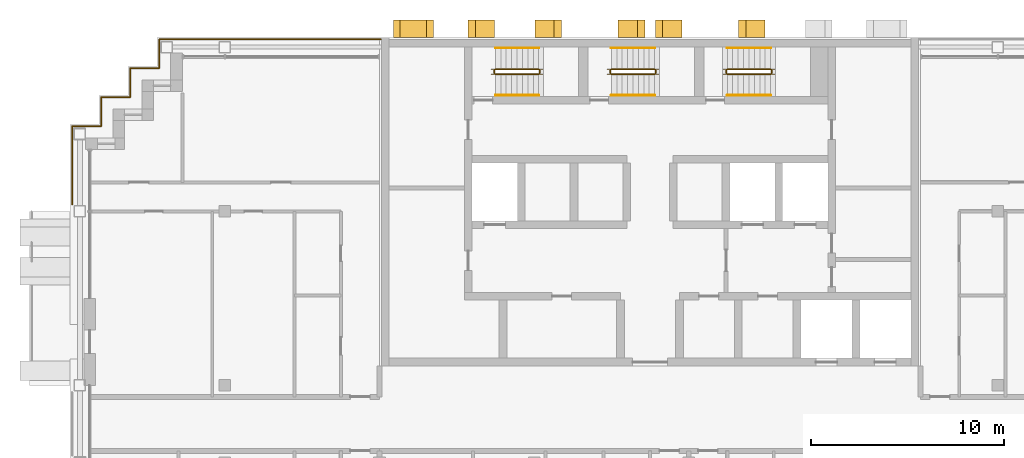
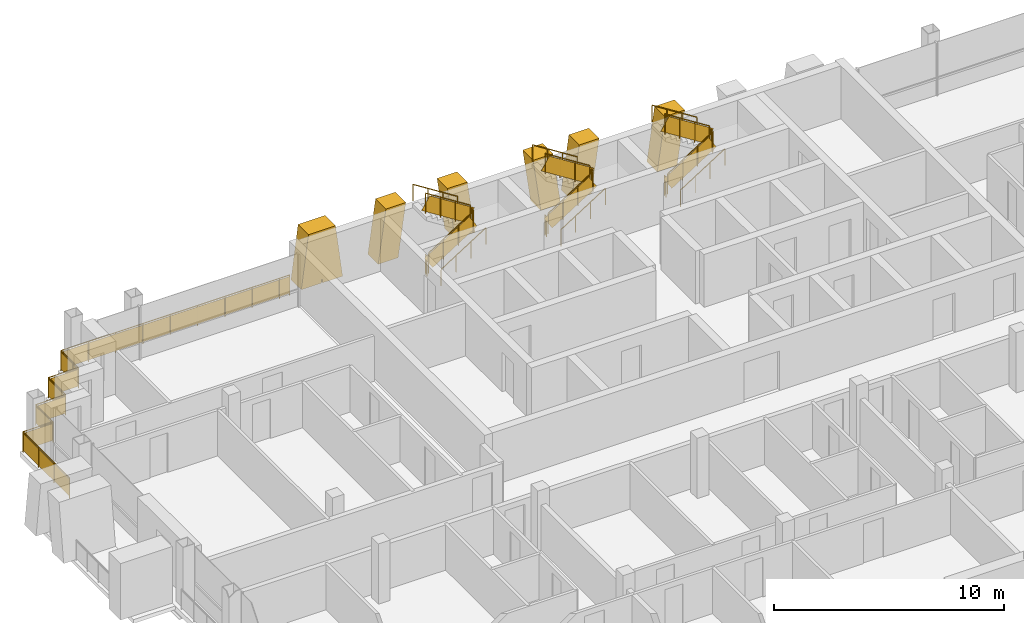
# One storey, part 14 of 15: 21 railings, 6 shading devices.
"""IFC4 building model written with IfcOpenShell, lengths in metres."""

from ifc_helpers import new_model, si_unit, direction, frame, origin, origin_2d, place, context, subcontext, project, spatial, polyline, rectangle, circle, outline, extrude, material, layer, layer_set, type_object, element, save


model = new_model("IFC4")

# Units and contexts
model_context = context("Model", 3, precision=1e-05, world=origin(), true_north=direction((0.0, 1.0)))
body_context = subcontext(model_context, "Body", "Model", "MODEL_VIEW")
ifc_project = project(units=[si_unit("LENGTHUNIT", "METRE"), si_unit("AREAUNIT", "SQUARE_METRE"), si_unit("VOLUMEUNIT", "CUBIC_METRE"), si_unit("PLANEANGLEUNIT", "RADIAN"), si_unit("MASSUNIT", "GRAM", prefix="KILO")], contexts=[model_context])

# Site, building, storey
site_placement = place(None, origin())
site = spatial("IfcSite", under=ifc_project, at=site_placement, CompositionType="ELEMENT")
building_placement = place(site_placement, origin())
building = spatial("IfcBuilding", under=site, at=building_placement, Name="Vidyagriha Tower", CompositionType="ELEMENT")
storey_placement = place(building_placement, frame((0.0, 0.0, 236.39990234375)))
storey = spatial("IfcBuildingStorey", under=building, at=storey_placement, Name="L62", CompositionType="ELEMENT", Elevation=236.39990234375)

# Shading devices
ifc_material_1 = material(Name="Precast concrete C40/50 with brick facing", Category="concrete")
ifc_layer_1 = layer(ifc_material_1, 1.0)
ifc_layer_set_1 = layer_set([ifc_layer_1], Name="Precast concrete C40/50 with brick facing")
shading_device_type_1 = type_object("IfcShadingDeviceType", Name="Brick-faced rear rib arm leaning 8 degrees", PredefinedType="USERDEFINED", material=ifc_layer_set_1)
shading_device_1_placement = place(storey_placement, frame((5.95703125, 20.449951171875, 0.0), z_axis=(0.0, 0.0, 1.0), x_axis=(-1.0, 0.0, 0.0)))
element("IfcShadingDevice", 1, at=shading_device_1_placement, inside=storey, type_object=shading_device_type_1, Name="Rear rib arm L62 R08.2a", ObjectType="BLADE FIN", PredefinedType="USERDEFINED", context=body_context, shape_type="SweptSolid", body=[
    extrude(outline(polyline([(0.3857421875, 0.0), (1.3857421875, 0.0), (1.0, 2.800048828125), (0.0, 2.800048828125), (0.3857421875, 0.0)])), frame((0.0, 0.449951171875, 0.0), z_axis=(0.0, -1.0, 0.0), x_axis=(1.0, 0.0, 0.0)), (0.0, 0.0, 1.0), 0.89990234375),
])
shading_device_2_placement = place(storey_placement, frame((-0.271484375, 20.449951171875, 0.0), z_axis=(0.0, 0.0, 1.0), x_axis=(-1.0, 0.0, 0.0)))
element("IfcShadingDevice", 2, at=shading_device_2_placement, inside=storey, type_object=shading_device_type_1, Name="Rear rib arm L62 R08.3a", ObjectType="BLADE FIN", PredefinedType="USERDEFINED", context=body_context, shape_type="SweptSolid", body=[
    extrude(outline(polyline([(0.0, 0.0), (1.0, 0.0), (1.3857421875, 2.800048828125), (0.3857421875, 2.800048828125), (0.0, 0.0)])), frame((0.0, 0.449951171875, 0.0), z_axis=(0.0, -1.0, 0.0), x_axis=(1.0, 0.0, 0.0)), (0.0, 0.0, 1.0), 0.89990234375),
])
for number, where, z_axis, x_axis, name in (
    (3, (1.656982421875, 20.449951171875, 0.0), (0.0, 0.0, 1.0), (-1.0, 0.0, 0.0), "Rear rib arm L62 R08.3b"),
    (4, (-8.04296875, 20.449951171875, 0.0), (0.0, 0.0, 1.0), (-1.0, 0.0, 0.0), "Rear rib arm L62 R08.4a"),
):
    element("IfcShadingDevice", number, at=place(storey_placement, frame(where, z_axis=z_axis, x_axis=x_axis)), inside=storey, type_object=shading_device_type_1, Name=name, ObjectType="BLADE FIN", PredefinedType="USERDEFINED", context=body_context, shape_type="SweptSolid", body=[
        extrude(outline(polyline([(0.3857421875, 0.0), (1.3857421875, 0.0), (1.0, 2.800048828125), (0.0, 2.800048828125), (0.3857421875, 0.0)])), frame((0.0, 0.449951171875, 0.0), z_axis=(0.0, -1.0, 0.0), x_axis=(1.0, 0.0, 0.0)), (0.0, 0.0, 1.0), 0.89990234375),
    ])
shading_device_3_placement = place(storey_placement, frame((-4.5712890625, 20.449951171875, 0.0), z_axis=(0.0, 0.0, 1.0), x_axis=(-1.0, 0.0, 0.0)))
element("IfcShadingDevice", 5, at=shading_device_3_placement, inside=storey, type_object=shading_device_type_1, Name="Rear rib arm L62 R08.4b", ObjectType="BLADE FIN", PredefinedType="USERDEFINED", context=body_context, shape_type="SweptSolid", body=[
    extrude(outline(polyline([(0.0, 0.0), (1.0, 0.0), (1.3857421875, 2.800048828125), (0.3857421875, 2.800048828125), (0.0, 0.0)])), frame((0.0, 0.449951171875, 0.0), z_axis=(0.0, -1.0, 0.0), x_axis=(1.0, 0.0, 0.0)), (0.0, 0.0, 1.0), 0.89990234375),
])
ifc_material_2 = material(Name="Precast concrete C40/50 with brick facing", Category="concrete")
ifc_layer_2 = layer(ifc_material_2, 1.0)
ifc_layer_set_2 = layer_set([ifc_layer_2], Name="Precast concrete C40/50 with brick facing")
shading_device_type_2 = type_object("IfcShadingDeviceType", Name="Brick-faced rear rib forking 8 degrees", PredefinedType="USERDEFINED", material=ifc_layer_set_2)
shading_device_4_placement = place(storey_placement, frame((-11.21435546875, 20.449951171875, 0.0), z_axis=(0.0, 0.0, 1.0), x_axis=(-1.0, 0.0, 0.0)))
element("IfcShadingDevice", 6, at=shading_device_4_placement, inside=storey, type_object=shading_device_type_2, Name="Rear rib fork L62 R08.5a", ObjectType="BLADE FIN", PredefinedType="USERDEFINED", context=body_context, shape_type="SweptSolid", body=[
    extrude(outline(polyline([(1.0, 0.0), (1.03564453125, 0.280029296875), (1.0712890625, 0.0), (2.0712890625, 0.0), (1.71435546875, 2.800048828125), (0.357177734375, 2.800048828125), (0.0, 0.0), (1.0, 0.0)])), frame((0.0, 0.449951171875, 0.0), z_axis=(0.0, -1.0, 0.0), x_axis=(1.0, 0.0, 0.0)), (0.0, 0.0, 1.0), 0.89990234375),
])

# Railings
ifc_material_3 = material(Name="Steel ASTM A500 Grade C black painted", Category="steel")
railing_type_1 = type_object("IfcRailingType", Name="Gallery guard 1100", PredefinedType="GUARDRAIL", material=ifc_material_3)
railing_1_placement = place(storey_placement, frame((-29.89990234375, 11.360107421875, 0.0)))
element("IfcRailing", 7, at=railing_1_placement, inside=storey, type_object=railing_type_1, Name="Gallery guard L62 4", PredefinedType="GUARDRAIL", context=body_context, shape_type="SweptSolid", body=[
    extrude(circle(Radius=0.02490234375, at=origin_2d()), frame((0.0, 0.0, 1.0751953125), z_axis=(0.0, 1.0, 0.0), x_axis=(-1.0, 0.0, 0.0)), (0.0, 0.0, 1.0), 4.039794921875),
    extrude(circle(Radius=0.02490234375, at=origin_2d()), frame((0.0, 4.039794921875, 1.0751953125), z_axis=(1.0, 0.0, 0.0), x_axis=(0.0, 1.0, 0.0)), (0.0, 0.0, 1.0), 1.5),
    extrude(circle(Radius=0.02490234375, at=origin_2d()), frame((1.5, 4.039794921875, 1.0751953125), z_axis=(0.0, 1.0, 0.0), x_axis=(-1.0, 0.0, 0.0)), (0.0, 0.0, 1.0), 1.5),
    extrude(circle(Radius=0.02490234375, at=origin_2d()), frame((1.5, 5.539794921875, 1.0751953125), z_axis=(1.0, 0.0, 0.0), x_axis=(0.0, 1.0, 0.0)), (0.0, 0.0, 1.0), 1.5),
    extrude(circle(Radius=0.02490234375, at=origin_2d()), frame((3.0, 5.539794921875, 1.0751953125), z_axis=(0.0, 1.0, 0.0), x_axis=(-1.0, 0.0, 0.0)), (0.0, 0.0, 1.0), 1.5),
    extrude(circle(Radius=0.02490234375, at=origin_2d()), frame((3.0, 7.039794921875, 1.0751953125), z_axis=(1.0, 0.0, 0.0), x_axis=(0.0, 1.0, 0.0)), (0.0, 0.0, 1.0), 1.5),
    extrude(circle(Radius=0.02490234375, at=origin_2d()), frame((4.5, 7.039794921875, 1.0751953125), z_axis=(0.0, 1.0, 0.0), x_axis=(-1.0, 0.0, 0.0)), (0.0, 0.0, 1.0), 0.460205078125),
    extrude(circle(Radius=0.02001953125, at=origin_2d()), origin(), (0.0, 0.0, 1.0), 1.050048828125),
    extrude(circle(Radius=0.02001953125, at=origin_2d()), frame((0.0, 1.3466796875, 0.0)), (0.0, 0.0, 1.0), 1.050048828125),
    extrude(circle(Radius=0.02001953125, at=origin_2d()), frame((0.0, 2.693115234375, 0.0)), (0.0, 0.0, 1.0), 1.050048828125),
    extrude(circle(Radius=0.02001953125, at=origin_2d()), frame((0.0, 4.039794921875, 0.0)), (0.0, 0.0, 1.0), 1.050048828125),
    extrude(circle(Radius=0.02001953125, at=origin_2d()), frame((1.5, 4.039794921875, 0.0)), (0.0, 0.0, 1.0), 1.050048828125),
    extrude(circle(Radius=0.02001953125, at=origin_2d()), frame((1.5, 5.539794921875, 0.0)), (0.0, 0.0, 1.0), 1.050048828125),
    extrude(circle(Radius=0.02001953125, at=origin_2d()), frame((3.0, 5.539794921875, 0.0)), (0.0, 0.0, 1.0), 1.050048828125),
    extrude(circle(Radius=0.02001953125, at=origin_2d()), frame((3.0, 7.039794921875, 0.0)), (0.0, 0.0, 1.0), 1.050048828125),
    extrude(circle(Radius=0.02001953125, at=origin_2d()), frame((4.5, 7.039794921875, 0.0)), (0.0, 0.0, 1.0), 1.050048828125),
    extrude(circle(Radius=0.02001953125, at=origin_2d()), frame((4.5, 7.5, 0.0)), (0.0, 0.0, 1.0), 1.050048828125),
    extrude(rectangle(XDim=0.010009765625, YDim=0.900146484375, at=origin_2d()), frame((0.0, 0.0, 0.550048828125), z_axis=(0.0, 1.0, 0.0), x_axis=(-1.0, 0.0, 0.0)), (0.0, 0.0, 1.0), 4.039794921875),
    extrude(rectangle(XDim=0.010009765625, YDim=0.900146484375, at=origin_2d()), frame((0.0, 4.039794921875, 0.550048828125), z_axis=(1.0, 0.0, 0.0), x_axis=(0.0, 1.0, 0.0)), (0.0, 0.0, 1.0), 1.5),
    extrude(rectangle(XDim=0.010009765625, YDim=0.900146484375, at=origin_2d()), frame((1.5, 4.039794921875, 0.550048828125), z_axis=(0.0, 1.0, 0.0), x_axis=(-1.0, 0.0, 0.0)), (0.0, 0.0, 1.0), 1.5),
    extrude(rectangle(XDim=0.010009765625, YDim=0.900146484375, at=origin_2d()), frame((1.5, 5.539794921875, 0.550048828125), z_axis=(1.0, 0.0, 0.0), x_axis=(0.0, 1.0, 0.0)), (0.0, 0.0, 1.0), 1.5),
    extrude(rectangle(XDim=0.010009765625, YDim=0.900146484375, at=origin_2d()), frame((3.0, 5.539794921875, 0.550048828125), z_axis=(0.0, 1.0, 0.0), x_axis=(-1.0, 0.0, 0.0)), (0.0, 0.0, 1.0), 1.5),
    extrude(rectangle(XDim=0.010009765625, YDim=0.900146484375, at=origin_2d()), frame((3.0, 7.039794921875, 0.550048828125), z_axis=(1.0, 0.0, 0.0), x_axis=(0.0, 1.0, 0.0)), (0.0, 0.0, 1.0), 1.5),
    extrude(rectangle(XDim=0.010009765625, YDim=0.900146484375, at=origin_2d()), frame((4.5, 7.039794921875, 0.550048828125), z_axis=(0.0, 1.0, 0.0), x_axis=(-1.0, 0.0, 0.0)), (0.0, 0.0, 1.0), 0.460205078125),
])
railing_2_placement = place(storey_placement, frame((-25.39990234375, 18.860107421875, 0.0)))
element("IfcRailing", 8, at=railing_2_placement, inside=storey, type_object=railing_type_1, Name="Gallery guard L62 5", PredefinedType="GUARDRAIL", context=body_context, shape_type="SweptSolid", body=[
    extrude(circle(Radius=0.02490234375, at=origin_2d()), frame((0.0, 0.0, 1.0751953125), z_axis=(0.0, 1.0, 0.0), x_axis=(-1.0, 0.0, 0.0)), (0.0, 0.0, 1.0), 1.039794921875),
    extrude(circle(Radius=0.02490234375, at=origin_2d()), frame((0.0, 1.039794921875, 1.0751953125), z_axis=(1.0, 0.0, 0.0), x_axis=(0.0, 1.0, 0.0)), (0.0, 0.0, 1.0), 10.9599609375),
    extrude(circle(Radius=0.02001953125, at=origin_2d()), origin(), (0.0, 0.0, 1.0), 1.050048828125),
    extrude(circle(Radius=0.02001953125, at=origin_2d()), frame((0.0, 1.039794921875, 0.0)), (0.0, 0.0, 1.0), 1.050048828125),
    extrude(circle(Radius=0.02001953125, at=origin_2d()), frame((1.3701171875, 1.039794921875, 0.0)), (0.0, 0.0, 1.0), 1.050048828125),
    extrude(circle(Radius=0.02001953125, at=origin_2d()), frame((2.739990234375, 1.039794921875, 0.0)), (0.0, 0.0, 1.0), 1.050048828125),
    extrude(circle(Radius=0.02001953125, at=origin_2d()), frame((4.10986328125, 1.039794921875, 0.0)), (0.0, 0.0, 1.0), 1.050048828125),
    extrude(circle(Radius=0.02001953125, at=origin_2d()), frame((5.47998046875, 1.039794921875, 0.0)), (0.0, 0.0, 1.0), 1.050048828125),
    extrude(circle(Radius=0.02001953125, at=origin_2d()), frame((6.85009765625, 1.039794921875, 0.0)), (0.0, 0.0, 1.0), 1.050048828125),
    extrude(circle(Radius=0.02001953125, at=origin_2d()), frame((8.219970703125, 1.039794921875, 0.0)), (0.0, 0.0, 1.0), 1.050048828125),
    extrude(circle(Radius=0.02001953125, at=origin_2d()), frame((9.58984375, 1.039794921875, 0.0)), (0.0, 0.0, 1.0), 1.050048828125),
    extrude(circle(Radius=0.02001953125, at=origin_2d()), frame((10.9599609375, 1.039794921875, 0.0)), (0.0, 0.0, 1.0), 1.050048828125),
    extrude(rectangle(XDim=0.010009765625, YDim=0.900146484375, at=origin_2d()), frame((0.0, 0.0, 0.550048828125), z_axis=(0.0, 1.0, 0.0), x_axis=(-1.0, 0.0, 0.0)), (0.0, 0.0, 1.0), 1.039794921875),
    extrude(rectangle(XDim=0.010009765625, YDim=0.900146484375, at=origin_2d()), frame((0.0, 1.039794921875, 0.550048828125), z_axis=(1.0, 0.0, 0.0), x_axis=(0.0, 1.0, 0.0)), (0.0, 0.0, 1.0), 10.9599609375),
])
railing_3_placement = place(storey_placement, frame((-14.43994140625, 19.89990234375, 0.0)))
element("IfcRailing", 9, at=railing_3_placement, inside=storey, type_object=railing_type_1, Name="Gallery guard L62 6", PredefinedType="GUARDRAIL", context=body_context, shape_type="SweptSolid", body=[
    extrude(circle(Radius=0.02490234375, at=origin_2d()), frame((0.0, 0.0, 1.0751953125), z_axis=(1.0, 0.0, 0.0), x_axis=(0.0, 1.0, 0.0)), (0.0, 0.0, 1.0), 0.510009765625),
    extrude(circle(Radius=0.02001953125, at=origin_2d()), origin(), (0.0, 0.0, 1.0), 1.050048828125),
    extrude(circle(Radius=0.02001953125, at=origin_2d()), frame((0.510009765625, 0.0, 0.0)), (0.0, 0.0, 1.0), 1.050048828125),
    extrude(rectangle(XDim=0.010009765625, YDim=0.900146484375, at=origin_2d()), frame((0.0, 0.0, 0.550048828125), z_axis=(1.0, 0.0, 0.0), x_axis=(0.0, 1.0, 0.0)), (0.0, 0.0, 1.0), 0.510009765625),
])
ifc_material_4 = material(Name="Steel ASTM A500 Grade C", Category="steel")
railing_type_2 = type_object("IfcRailingType", Name="Stair guard 1100 mm, steel balustrade", PredefinedType="GUARDRAIL", material=ifc_material_4)
railing_4_placement = place(storey_placement, frame((-8.0, 18.10009765625, 0.177978515625)))
element("IfcRailing", 10, at=railing_4_placement, inside=storey, type_object=railing_type_2, Name="L62 ST1 stair guard 1", PredefinedType="GUARDRAIL", context=body_context, shape_type="SweptSolid", body=[
    extrude(circle(Radius=0.02392578125, at=origin_2d()), frame((0.0, 0.0, 1.076171875), z_axis=(0.8442293374, 0.0, 0.53598211339), x_axis=(0.0, 1.0, 0.0)), (0.0, 0.0, 1.0), 2.6533203125),
    extrude(circle(Radius=0.02099609375, at=origin_2d()), origin(), (0.0, 0.0, 1.0), 1.052001953125),
    extrude(circle(Radius=0.02099609375, at=origin_2d()), frame((0.74658203125, 0.0, 0.47412109375)), (0.0, 0.0, 1.0), 1.052001953125),
    extrude(circle(Radius=0.02099609375, at=origin_2d()), frame((1.493408203125, 0.0, 0.947998046875)), (0.0, 0.0, 1.0), 1.052001953125),
    extrude(circle(Radius=0.02099609375, at=origin_2d()), frame((2.239990234375, 0.0, 1.422119140625)), (0.0, 0.0, 1.0), 1.052001953125),
    extrude(rectangle(XDim=0.010009765625, YDim=0.761474609375, at=origin_2d()), frame((0.0, 0.0, 0.551025390625), z_axis=(0.8442293374, 0.0, 0.53598211339), x_axis=(0.0, 1.0, 0.0)), (0.0, 0.0, 1.0), 2.6533203125),
])
railing_5_placement = place(storey_placement, frame((-5.7099609375, 18.14990234375, 1.60009765625)))
element("IfcRailing", 11, at=railing_5_placement, inside=storey, type_object=railing_type_2, Name="L62 ST1 stair guard 2", PredefinedType="GUARDRAIL", context=body_context, shape_type="SweptSolid", body=[
    extrude(circle(Radius=0.02392578125, at=origin_2d()), frame((0.0, 0.0, 1.076171875), z_axis=(0.0, 1.0, 0.0), x_axis=(-1.0, 0.0, 0.0)), (0.0, 0.0, 1.0), 0.150146484375),
    extrude(circle(Radius=0.02099609375, at=origin_2d()), origin(), (0.0, 0.0, 1.0), 1.052001953125),
    extrude(circle(Radius=0.02099609375, at=origin_2d()), frame((0.0, 0.150146484375, 0.0)), (0.0, 0.0, 1.0), 1.052001953125),
    extrude(rectangle(XDim=0.010009765625, YDim=0.902099609375, at=origin_2d()), frame((0.0, 0.0, 0.551025390625), z_axis=(0.0, 1.0, 0.0), x_axis=(-1.0, 0.0, 0.0)), (0.0, 0.0, 1.0), 0.150146484375),
])
railing_6_placement = place(storey_placement, frame((-5.760009765625, 18.35009765625, 1.77783203125)))
element("IfcRailing", 12, at=railing_6_placement, inside=storey, type_object=railing_type_2, Name="L62 ST1 stair guard 3", PredefinedType="GUARDRAIL", context=body_context, shape_type="SweptSolid", body=[
    extrude(circle(Radius=0.02392578125, at=origin_2d()), frame((0.0, 0.0, 1.076171875), z_axis=(-0.84418770128, 0.0, 0.536047689118), x_axis=(0.0, -1.0, 0.0)), (0.0, 0.0, 1.0), 2.6533203125),
    extrude(circle(Radius=0.02099609375, at=origin_2d()), origin(), (0.0, 0.0, 1.0), 1.052001953125),
    extrude(circle(Radius=0.02099609375, at=origin_2d()), frame((-0.74658203125, 0.0, 0.47412109375)), (0.0, 0.0, 1.0), 1.052001953125),
    extrude(circle(Radius=0.02099609375, at=origin_2d()), frame((-1.493408203125, 0.0, 0.9482421875)), (0.0, 0.0, 1.0), 1.052001953125),
    extrude(circle(Radius=0.02099609375, at=origin_2d()), frame((-2.239990234375, 0.0, 1.42236328125)), (0.0, 0.0, 1.0), 1.052001953125),
    extrude(rectangle(XDim=0.010009765625, YDim=0.761474609375, at=origin_2d()), frame((0.0, 0.0, 0.551025390625), z_axis=(-0.84418770128, 0.0, 0.536047689118), x_axis=(0.0, -1.0, 0.0)), (0.0, 0.0, 1.0), 2.6533203125),
])
railing_7_placement = place(storey_placement, frame((-8.050048828125, 18.14990234375, 0.0)))
element("IfcRailing", 13, at=railing_7_placement, inside=storey, type_object=railing_type_2, Name="L62 ST1 stair guard 4", PredefinedType="GUARDRAIL", context=body_context, shape_type="SweptSolid", body=[
    extrude(circle(Radius=0.02392578125, at=origin_2d()), frame((0.0, 0.0, 1.076171875), z_axis=(0.0, 1.0, 0.0), x_axis=(-1.0, 0.0, 0.0)), (0.0, 0.0, 1.0), 0.150146484375),
    extrude(circle(Radius=0.02099609375, at=origin_2d()), origin(), (0.0, 0.0, 1.0), 1.052001953125),
    extrude(circle(Radius=0.02099609375, at=origin_2d()), frame((0.0, 0.150146484375, 0.0)), (0.0, 0.0, 1.0), 1.052001953125),
    extrude(rectangle(XDim=0.010009765625, YDim=0.902099609375, at=origin_2d()), frame((0.0, 0.0, 0.551025390625), z_axis=(0.0, 1.0, 0.0), x_axis=(-1.0, 0.0, 0.0)), (0.0, 0.0, 1.0), 0.150146484375),
])
railing_8_placement = place(storey_placement, frame((-2.0, 18.10009765625, 0.177978515625)))
element("IfcRailing", 14, at=railing_8_placement, inside=storey, type_object=railing_type_2, Name="L62 ST2 stair guard 1", PredefinedType="GUARDRAIL", context=body_context, shape_type="SweptSolid", body=[
    extrude(circle(Radius=0.02392578125, at=origin_2d()), frame((0.0, 0.0, 1.076171875), z_axis=(0.8442293374, 0.0, 0.53598211339), x_axis=(0.0, 1.0, 0.0)), (0.0, 0.0, 1.0), 2.6533203125),
    extrude(circle(Radius=0.02099609375, at=origin_2d()), origin(), (0.0, 0.0, 1.0), 1.052001953125),
    extrude(circle(Radius=0.02099609375, at=origin_2d()), frame((0.74658203125, 0.0, 0.47412109375)), (0.0, 0.0, 1.0), 1.052001953125),
    extrude(circle(Radius=0.02099609375, at=origin_2d()), frame((1.493408203125, 0.0, 0.947998046875)), (0.0, 0.0, 1.0), 1.052001953125),
    extrude(circle(Radius=0.02099609375, at=origin_2d()), frame((2.239990234375, 0.0, 1.422119140625)), (0.0, 0.0, 1.0), 1.052001953125),
    extrude(rectangle(XDim=0.010009765625, YDim=0.761474609375, at=origin_2d()), frame((0.0, 0.0, 0.551025390625), z_axis=(0.8442293374, 0.0, 0.53598211339), x_axis=(0.0, 1.0, 0.0)), (0.0, 0.0, 1.0), 2.6533203125),
])
railing_9_placement = place(storey_placement, frame((0.2900390625, 18.14990234375, 1.60009765625)))
element("IfcRailing", 15, at=railing_9_placement, inside=storey, type_object=railing_type_2, Name="L62 ST2 stair guard 2", PredefinedType="GUARDRAIL", context=body_context, shape_type="SweptSolid", body=[
    extrude(circle(Radius=0.02392578125, at=origin_2d()), frame((0.0, 0.0, 1.076171875), z_axis=(0.0, 1.0, 0.0), x_axis=(-1.0, 0.0, 0.0)), (0.0, 0.0, 1.0), 0.150146484375),
    extrude(circle(Radius=0.02099609375, at=origin_2d()), origin(), (0.0, 0.0, 1.0), 1.052001953125),
    extrude(circle(Radius=0.02099609375, at=origin_2d()), frame((0.0, 0.150146484375, 0.0)), (0.0, 0.0, 1.0), 1.052001953125),
    extrude(rectangle(XDim=0.010009765625, YDim=0.902099609375, at=origin_2d()), frame((0.0, 0.0, 0.551025390625), z_axis=(0.0, 1.0, 0.0), x_axis=(-1.0, 0.0, 0.0)), (0.0, 0.0, 1.0), 0.150146484375),
])
railing_10_placement = place(storey_placement, frame((0.239990234375, 18.35009765625, 1.77783203125)))
element("IfcRailing", 16, at=railing_10_placement, inside=storey, type_object=railing_type_2, Name="L62 ST2 stair guard 3", PredefinedType="GUARDRAIL", context=body_context, shape_type="SweptSolid", body=[
    extrude(circle(Radius=0.02392578125, at=origin_2d()), frame((0.0, 0.0, 1.076171875), z_axis=(-0.84418770128, 0.0, 0.536047689118), x_axis=(0.0, -1.0, 0.0)), (0.0, 0.0, 1.0), 2.6533203125),
    extrude(circle(Radius=0.02099609375, at=origin_2d()), origin(), (0.0, 0.0, 1.0), 1.052001953125),
    extrude(circle(Radius=0.02099609375, at=origin_2d()), frame((-0.74658203125, 0.0, 0.47412109375)), (0.0, 0.0, 1.0), 1.052001953125),
    extrude(circle(Radius=0.02099609375, at=origin_2d()), frame((-1.493408203125, 0.0, 0.9482421875)), (0.0, 0.0, 1.0), 1.052001953125),
    extrude(circle(Radius=0.02099609375, at=origin_2d()), frame((-2.239990234375, 0.0, 1.42236328125)), (0.0, 0.0, 1.0), 1.052001953125),
    extrude(rectangle(XDim=0.010009765625, YDim=0.761474609375, at=origin_2d()), frame((0.0, 0.0, 0.551025390625), z_axis=(-0.84418770128, 0.0, 0.536047689118), x_axis=(0.0, -1.0, 0.0)), (0.0, 0.0, 1.0), 2.6533203125),
])
railing_11_placement = place(storey_placement, frame((-2.050048828125, 18.14990234375, 0.0)))
element("IfcRailing", 17, at=railing_11_placement, inside=storey, type_object=railing_type_2, Name="L62 ST2 stair guard 4", PredefinedType="GUARDRAIL", context=body_context, shape_type="SweptSolid", body=[
    extrude(circle(Radius=0.02392578125, at=origin_2d()), frame((0.0, 0.0, 1.076171875), z_axis=(0.0, 1.0, 0.0), x_axis=(-1.0, 0.0, 0.0)), (0.0, 0.0, 1.0), 0.150146484375),
    extrude(circle(Radius=0.02099609375, at=origin_2d()), origin(), (0.0, 0.0, 1.0), 1.052001953125),
    extrude(circle(Radius=0.02099609375, at=origin_2d()), frame((0.0, 0.150146484375, 0.0)), (0.0, 0.0, 1.0), 1.052001953125),
    extrude(rectangle(XDim=0.010009765625, YDim=0.902099609375, at=origin_2d()), frame((0.0, 0.0, 0.551025390625), z_axis=(0.0, 1.0, 0.0), x_axis=(-1.0, 0.0, 0.0)), (0.0, 0.0, 1.0), 0.150146484375),
])
railing_12_placement = place(storey_placement, frame((4.0, 18.10009765625, 0.177978515625)))
element("IfcRailing", 18, at=railing_12_placement, inside=storey, type_object=railing_type_2, Name="L62 ST3 stair guard 1", PredefinedType="GUARDRAIL", context=body_context, shape_type="SweptSolid", body=[
    extrude(circle(Radius=0.02392578125, at=origin_2d()), frame((0.0, 0.0, 1.076171875), z_axis=(0.8442293374, 0.0, 0.53598211339), x_axis=(0.0, 1.0, 0.0)), (0.0, 0.0, 1.0), 2.6533203125),
    extrude(circle(Radius=0.02099609375, at=origin_2d()), origin(), (0.0, 0.0, 1.0), 1.052001953125),
    extrude(circle(Radius=0.02099609375, at=origin_2d()), frame((0.74658203125, 0.0, 0.47412109375)), (0.0, 0.0, 1.0), 1.052001953125),
    extrude(circle(Radius=0.02099609375, at=origin_2d()), frame((1.493408203125, 0.0, 0.947998046875)), (0.0, 0.0, 1.0), 1.052001953125),
    extrude(circle(Radius=0.02099609375, at=origin_2d()), frame((2.239990234375, 0.0, 1.422119140625)), (0.0, 0.0, 1.0), 1.052001953125),
    extrude(rectangle(XDim=0.010009765625, YDim=0.761474609375, at=origin_2d()), frame((0.0, 0.0, 0.551025390625), z_axis=(0.8442293374, 0.0, 0.53598211339), x_axis=(0.0, 1.0, 0.0)), (0.0, 0.0, 1.0), 2.6533203125),
])
railing_13_placement = place(storey_placement, frame((6.2900390625, 18.14990234375, 1.60009765625)))
element("IfcRailing", 19, at=railing_13_placement, inside=storey, type_object=railing_type_2, Name="L62 ST3 stair guard 2", PredefinedType="GUARDRAIL", context=body_context, shape_type="SweptSolid", body=[
    extrude(circle(Radius=0.02392578125, at=origin_2d()), frame((0.0, 0.0, 1.076171875), z_axis=(0.0, 1.0, 0.0), x_axis=(-1.0, 0.0, 0.0)), (0.0, 0.0, 1.0), 0.150146484375),
    extrude(circle(Radius=0.02099609375, at=origin_2d()), origin(), (0.0, 0.0, 1.0), 1.052001953125),
    extrude(circle(Radius=0.02099609375, at=origin_2d()), frame((0.0, 0.150146484375, 0.0)), (0.0, 0.0, 1.0), 1.052001953125),
    extrude(rectangle(XDim=0.010009765625, YDim=0.902099609375, at=origin_2d()), frame((0.0, 0.0, 0.551025390625), z_axis=(0.0, 1.0, 0.0), x_axis=(-1.0, 0.0, 0.0)), (0.0, 0.0, 1.0), 0.150146484375),
])
railing_14_placement = place(storey_placement, frame((6.239990234375, 18.35009765625, 1.77783203125)))
element("IfcRailing", 20, at=railing_14_placement, inside=storey, type_object=railing_type_2, Name="L62 ST3 stair guard 3", PredefinedType="GUARDRAIL", context=body_context, shape_type="SweptSolid", body=[
    extrude(circle(Radius=0.02392578125, at=origin_2d()), frame((0.0, 0.0, 1.076171875), z_axis=(-0.84418770128, 0.0, 0.536047689118), x_axis=(0.0, -1.0, 0.0)), (0.0, 0.0, 1.0), 2.6533203125),
    extrude(circle(Radius=0.02099609375, at=origin_2d()), origin(), (0.0, 0.0, 1.0), 1.052001953125),
    extrude(circle(Radius=0.02099609375, at=origin_2d()), frame((-0.74658203125, 0.0, 0.47412109375)), (0.0, 0.0, 1.0), 1.052001953125),
    extrude(circle(Radius=0.02099609375, at=origin_2d()), frame((-1.493408203125, 0.0, 0.9482421875)), (0.0, 0.0, 1.0), 1.052001953125),
    extrude(circle(Radius=0.02099609375, at=origin_2d()), frame((-2.239990234375, 0.0, 1.42236328125)), (0.0, 0.0, 1.0), 1.052001953125),
    extrude(rectangle(XDim=0.010009765625, YDim=0.761474609375, at=origin_2d()), frame((0.0, 0.0, 0.551025390625), z_axis=(-0.84418770128, 0.0, 0.536047689118), x_axis=(0.0, -1.0, 0.0)), (0.0, 0.0, 1.0), 2.6533203125),
])
railing_15_placement = place(storey_placement, frame((3.949951171875, 18.14990234375, 0.0)))
element("IfcRailing", 21, at=railing_15_placement, inside=storey, type_object=railing_type_2, Name="L62 ST3 stair guard 4", PredefinedType="GUARDRAIL", context=body_context, shape_type="SweptSolid", body=[
    extrude(circle(Radius=0.02392578125, at=origin_2d()), frame((0.0, 0.0, 1.076171875), z_axis=(0.0, 1.0, 0.0), x_axis=(-1.0, 0.0, 0.0)), (0.0, 0.0, 1.0), 0.150146484375),
    extrude(circle(Radius=0.02099609375, at=origin_2d()), origin(), (0.0, 0.0, 1.0), 1.052001953125),
    extrude(circle(Radius=0.02099609375, at=origin_2d()), frame((0.0, 0.150146484375, 0.0)), (0.0, 0.0, 1.0), 1.052001953125),
    extrude(rectangle(XDim=0.010009765625, YDim=0.902099609375, at=origin_2d()), frame((0.0, 0.0, 0.551025390625), z_axis=(0.0, 1.0, 0.0), x_axis=(-1.0, 0.0, 0.0)), (0.0, 0.0, 1.0), 0.150146484375),
])
ifc_material_5 = material(Name="Steel ASTM A500 Grade C", Category="steel")
railing_type_3 = type_object("IfcRailingType", Name="Stair handrail 900 mm, steel", PredefinedType="HANDRAIL", material=ifc_material_5)
railing_16_placement = place(storey_placement, frame((-8.0, 17.0, 0.177978515625)))
element("IfcRailing", 22, at=railing_16_placement, inside=storey, type_object=railing_type_3, Name="L62 ST1 stair handrail 1", PredefinedType="HANDRAIL", context=body_context, shape_type="SweptSolid", body=[
    extrude(circle(Radius=0.02392578125, at=origin_2d()), frame((0.0, 0.0, 0.8759765625), z_axis=(0.8442293374, 0.0, 0.53598211339), x_axis=(0.0, 1.0, 0.0)), (0.0, 0.0, 1.0), 2.6533203125),
    extrude(circle(Radius=0.02099609375, at=origin_2d()), origin(), (0.0, 0.0, 1.0), 0.851806640625),
    extrude(circle(Radius=0.02099609375, at=origin_2d()), frame((0.74658203125, 0.0, 0.47412109375)), (0.0, 0.0, 1.0), 0.851806640625),
    extrude(circle(Radius=0.02099609375, at=origin_2d()), frame((1.493408203125, 0.0, 0.947998046875)), (0.0, 0.0, 1.0), 0.851806640625),
    extrude(circle(Radius=0.02099609375, at=origin_2d()), frame((2.239990234375, 0.0, 1.422119140625)), (0.0, 0.0, 1.0), 0.851806640625),
])
railing_17_placement = place(storey_placement, frame((-5.760009765625, 19.449951171875, 1.77783203125)))
element("IfcRailing", 23, at=railing_17_placement, inside=storey, type_object=railing_type_3, Name="L62 ST1 stair handrail 2", PredefinedType="HANDRAIL", context=body_context, shape_type="SweptSolid", body=[
    extrude(circle(Radius=0.02392578125, at=origin_2d()), frame((0.0, 0.0, 0.8759765625), z_axis=(-0.84418770128, 0.0, 0.536047689118), x_axis=(0.0, -1.0, 0.0)), (0.0, 0.0, 1.0), 2.6533203125),
    extrude(circle(Radius=0.02099609375, at=origin_2d()), origin(), (0.0, 0.0, 1.0), 0.851806640625),
    extrude(circle(Radius=0.02099609375, at=origin_2d()), frame((-0.74658203125, 0.0, 0.47412109375)), (0.0, 0.0, 1.0), 0.851806640625),
    extrude(circle(Radius=0.02099609375, at=origin_2d()), frame((-1.493408203125, 0.0, 0.9482421875)), (0.0, 0.0, 1.0), 0.851806640625),
    extrude(circle(Radius=0.02099609375, at=origin_2d()), frame((-2.239990234375, 0.0, 1.42236328125)), (0.0, 0.0, 1.0), 0.851806640625),
])
railing_18_placement = place(storey_placement, frame((-2.0, 17.0, 0.177978515625)))
element("IfcRailing", 24, at=railing_18_placement, inside=storey, type_object=railing_type_3, Name="L62 ST2 stair handrail 1", PredefinedType="HANDRAIL", context=body_context, shape_type="SweptSolid", body=[
    extrude(circle(Radius=0.02392578125, at=origin_2d()), frame((0.0, 0.0, 0.8759765625), z_axis=(0.8442293374, 0.0, 0.53598211339), x_axis=(0.0, 1.0, 0.0)), (0.0, 0.0, 1.0), 2.6533203125),
    extrude(circle(Radius=0.02099609375, at=origin_2d()), origin(), (0.0, 0.0, 1.0), 0.851806640625),
    extrude(circle(Radius=0.02099609375, at=origin_2d()), frame((0.74658203125, 0.0, 0.47412109375)), (0.0, 0.0, 1.0), 0.851806640625),
    extrude(circle(Radius=0.02099609375, at=origin_2d()), frame((1.493408203125, 0.0, 0.947998046875)), (0.0, 0.0, 1.0), 0.851806640625),
    extrude(circle(Radius=0.02099609375, at=origin_2d()), frame((2.239990234375, 0.0, 1.422119140625)), (0.0, 0.0, 1.0), 0.851806640625),
])
railing_19_placement = place(storey_placement, frame((0.239990234375, 19.449951171875, 1.77783203125)))
element("IfcRailing", 25, at=railing_19_placement, inside=storey, type_object=railing_type_3, Name="L62 ST2 stair handrail 2", PredefinedType="HANDRAIL", context=body_context, shape_type="SweptSolid", body=[
    extrude(circle(Radius=0.02392578125, at=origin_2d()), frame((0.0, 0.0, 0.8759765625), z_axis=(-0.84418770128, 0.0, 0.536047689118), x_axis=(0.0, -1.0, 0.0)), (0.0, 0.0, 1.0), 2.6533203125),
    extrude(circle(Radius=0.02099609375, at=origin_2d()), origin(), (0.0, 0.0, 1.0), 0.851806640625),
    extrude(circle(Radius=0.02099609375, at=origin_2d()), frame((-0.74658203125, 0.0, 0.47412109375)), (0.0, 0.0, 1.0), 0.851806640625),
    extrude(circle(Radius=0.02099609375, at=origin_2d()), frame((-1.493408203125, 0.0, 0.9482421875)), (0.0, 0.0, 1.0), 0.851806640625),
    extrude(circle(Radius=0.02099609375, at=origin_2d()), frame((-2.239990234375, 0.0, 1.42236328125)), (0.0, 0.0, 1.0), 0.851806640625),
])
railing_20_placement = place(storey_placement, frame((4.0, 17.0, 0.177978515625)))
element("IfcRailing", 26, at=railing_20_placement, inside=storey, type_object=railing_type_3, Name="L62 ST3 stair handrail 1", PredefinedType="HANDRAIL", context=body_context, shape_type="SweptSolid", body=[
    extrude(circle(Radius=0.02392578125, at=origin_2d()), frame((0.0, 0.0, 0.8759765625), z_axis=(0.8442293374, 0.0, 0.53598211339), x_axis=(0.0, 1.0, 0.0)), (0.0, 0.0, 1.0), 2.6533203125),
    extrude(circle(Radius=0.02099609375, at=origin_2d()), origin(), (0.0, 0.0, 1.0), 0.851806640625),
    extrude(circle(Radius=0.02099609375, at=origin_2d()), frame((0.74658203125, 0.0, 0.47412109375)), (0.0, 0.0, 1.0), 0.851806640625),
    extrude(circle(Radius=0.02099609375, at=origin_2d()), frame((1.493408203125, 0.0, 0.947998046875)), (0.0, 0.0, 1.0), 0.851806640625),
    extrude(circle(Radius=0.02099609375, at=origin_2d()), frame((2.239990234375, 0.0, 1.422119140625)), (0.0, 0.0, 1.0), 0.851806640625),
])
railing_21_placement = place(storey_placement, frame((6.239990234375, 19.449951171875, 1.77783203125)))
element("IfcRailing", 27, at=railing_21_placement, inside=storey, type_object=railing_type_3, Name="L62 ST3 stair handrail 2", PredefinedType="HANDRAIL", context=body_context, shape_type="SweptSolid", body=[
    extrude(circle(Radius=0.02392578125, at=origin_2d()), frame((0.0, 0.0, 0.8759765625), z_axis=(-0.84418770128, 0.0, 0.536047689118), x_axis=(0.0, -1.0, 0.0)), (0.0, 0.0, 1.0), 2.6533203125),
    extrude(circle(Radius=0.02099609375, at=origin_2d()), origin(), (0.0, 0.0, 1.0), 0.851806640625),
    extrude(circle(Radius=0.02099609375, at=origin_2d()), frame((-0.74658203125, 0.0, 0.47412109375)), (0.0, 0.0, 1.0), 0.851806640625),
    extrude(circle(Radius=0.02099609375, at=origin_2d()), frame((-1.493408203125, 0.0, 0.9482421875)), (0.0, 0.0, 1.0), 0.851806640625),
    extrude(circle(Radius=0.02099609375, at=origin_2d()), frame((-2.239990234375, 0.0, 1.42236328125)), (0.0, 0.0, 1.0), 0.851806640625),
])

save(model, "model.ifc")
